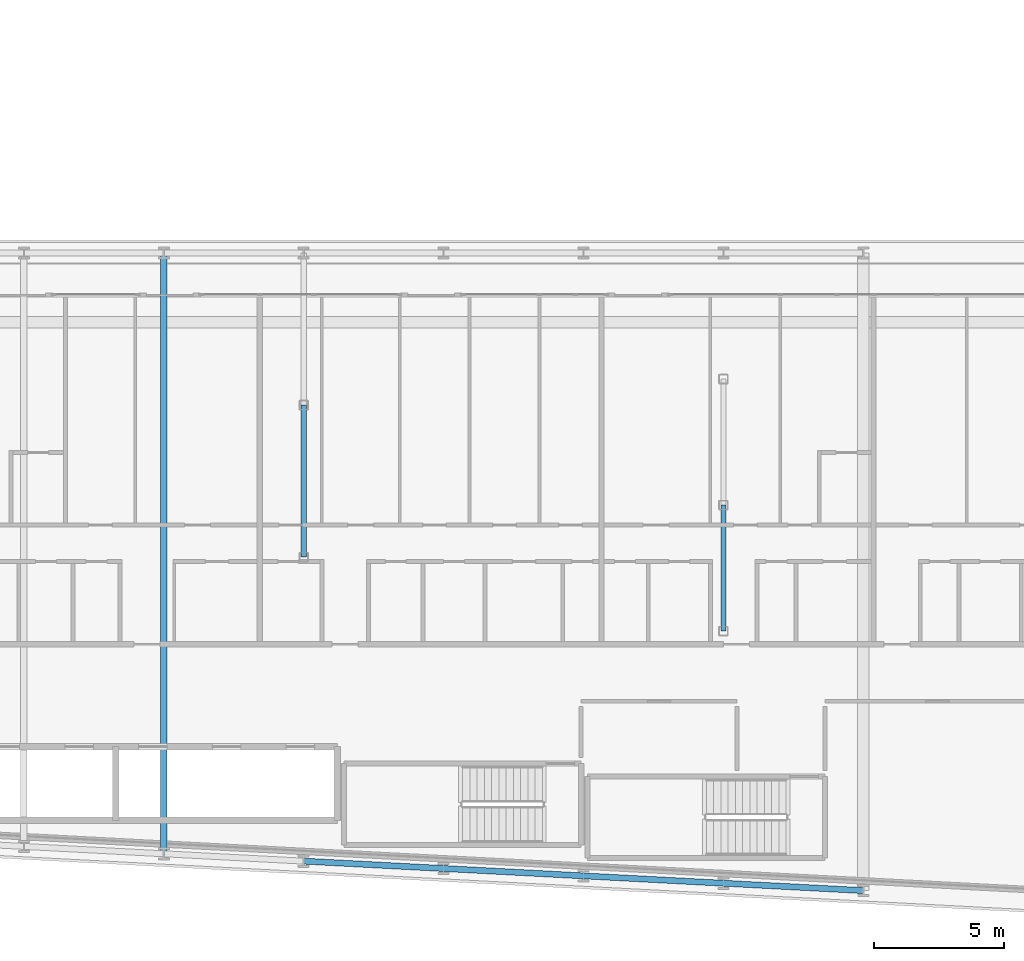
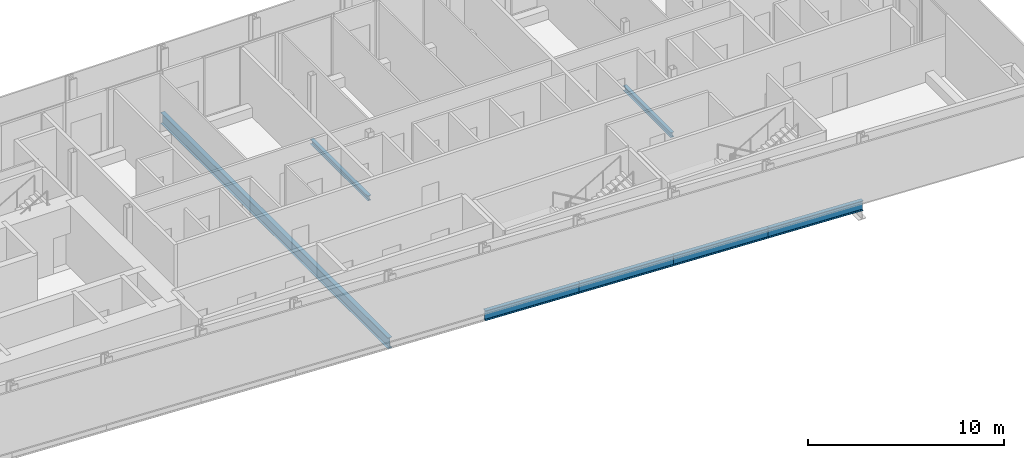
# One storey, part 5 of 28: 7 beams.
"""IFC4 building model written with IfcOpenShell, lengths in metres."""

import ifcopenshell
import ifcopenshell.guid

model = None  # the IFC model being written
_history = None  # IfcOwnerHistory: only IFC2X3 demands one
_inside = {}  # id of a spatial element -> (the spatial element, [elements in it])
_under = {}  # id of a project, library or spatial element -> (it, [spatial elements below it])
_declared = {}  # id of a project -> (the project, [libraries it declares])
_typed = {}  # id of a type object -> (the type object, [elements of that type])
_made_of = {}  # id of a material, layer set ... -> (it, [elements and type objects made of it])


def new_model(schema):
    """Start an empty IFC model of exactly this schema.

    Asked for "IFC4X3", IfcOpenShell would pick the latest addendum, in which some entities
    have other attributes; the version numbers below select the first issue.
    IFC2X3 requires an IfcOwnerHistory on every rooted entity: one is made here for all.
    """
    global model, _history
    if schema == "IFC4X3":
        model = ifcopenshell.file(schema_version=(4, 3, 0, 0))
    else:
        model = ifcopenshell.file(schema=schema)
    _inside.clear()
    _under.clear()
    _declared.clear()
    _typed.clear()
    _made_of.clear()
    _history = None
    if model.schema == "IFC2X3":
        org = make("IfcOrganization", Name="unknown")
        user = make(
            "IfcPersonAndOrganization",
            ThePerson=make("IfcPerson", FamilyName="unknown"),
            TheOrganization=org,
        )
        app = make(
            "IfcApplication",
            ApplicationDeveloper=org,
            Version="unknown",
            ApplicationFullName="unknown",
            ApplicationIdentifier="unknown",
        )
        _history = make(
            "IfcOwnerHistory",
            OwningUser=user,
            OwningApplication=app,
            ChangeAction="ADDED",
            CreationDate=0,
        )
    return model


def make(cls, **values):
    """One entity of the class cls with the attributes given. An attribute that is None is left unset."""
    return model.create_entity(
        cls, **{name: value for name, value in values.items() if value is not None}
    )


def rooted(cls, **values):
    """An entity with a GlobalId (a new one), such as an element, a storey or a relation."""
    return make(cls, GlobalId=ifcopenshell.guid.new(), OwnerHistory=_history, **values)


def si_unit(unit_type, name, prefix=None):
    """IfcSIUnit, for example si_unit("LENGTHUNIT", "METRE", prefix="MILLI")."""
    return make("IfcSIUnit", UnitType=unit_type, Prefix=prefix, Name=name)


def assignment(units):
    """IfcUnitAssignment: the units of a project."""
    return None if units is None else make("IfcUnitAssignment", Units=units)


def point(xyz):
    """IfcCartesianPoint."""
    return None if xyz is None else make("IfcCartesianPoint", Coordinates=xyz)


def direction(xyz):
    """IfcDirection."""
    return None if xyz is None else make("IfcDirection", DirectionRatios=xyz)


def frame(location, z_axis=None, x_axis=None):
    """IfcAxis2Placement3D, a coordinate frame: its origin and axes. An axis left out is left unset."""
    return make(
        "IfcAxis2Placement3D",
        Location=point(location),
        Axis=direction(z_axis),
        RefDirection=direction(x_axis),
    )


def frame_2d(location, x_axis=None):
    """IfcAxis2Placement2D, a coordinate frame in the plane: its origin and x axis."""
    return make(
        "IfcAxis2Placement2D", Location=point(location), RefDirection=direction(x_axis)
    )


def origin():
    """The frame at (0, 0, 0) with its axes left unset."""
    return frame((0.0, 0.0, 0.0))


def origin_2d():
    """The frame at (0, 0) in the plane with its x axis left unset."""
    return frame_2d((0.0, 0.0))


def place(relative_to, where):
    """IfcLocalPlacement: puts the frame where relative to a parent placement (None: the world)."""
    return make(
        "IfcLocalPlacement", PlacementRelTo=relative_to, RelativePlacement=where
    )


def context(
    kind, dimensions, precision=None, world=None, true_north=None, identifier=None
):
    """IfcGeometricRepresentationContext, for example the 3D "Model" context."""
    return make(
        "IfcGeometricRepresentationContext",
        ContextIdentifier=identifier,
        ContextType=kind,
        CoordinateSpaceDimension=dimensions,
        Precision=precision,
        WorldCoordinateSystem=world,
        TrueNorth=true_north,
    )


def subcontext(parent, identifier, kind, view, scale=None):
    """IfcGeometricRepresentationSubContext, for example "Body" below "Model"."""
    return make(
        "IfcGeometricRepresentationSubContext",
        ContextIdentifier=identifier,
        ContextType=kind,
        ParentContext=parent,
        TargetScale=scale,
        TargetView=view,
    )


def project(units=None, contexts=None):
    """IfcProject with its units and contexts."""
    return rooted(
        "IfcProject",
        Name="project",
        RepresentationContexts=contexts,
        UnitsInContext=assignment(units),
    )


def spatial(cls, under=None, at=None, **own):
    """A site, building, storey or space (cls), placed at a placement, below another one or the project."""
    s = rooted(cls, ObjectPlacement=at, **own)
    if under is not None:
        _under.setdefault(under.id(), (under, []))[1].append(s)
    return s


def profile(cls, at=None, kind="AREA", **sizes):
    """A parametric profile (cls). Its sizes go by their IFC names, for example OverallWidth=200.0."""
    return make(cls, ProfileType=kind, Position=at, **sizes)


def i_section(**sizes):
    """IfcIShapeProfileDef."""
    return profile("IfcIShapeProfileDef", **sizes)


def extrude(swept, where, along, depth):
    """IfcExtrudedAreaSolid: the profile swept, set in the frame where, extruded along a direction by depth."""
    return make(
        "IfcExtrudedAreaSolid",
        SweptArea=swept,
        Position=where,
        ExtrudedDirection=direction(along),
        Depth=depth,
    )


def shape(context_of_items, identifier, shape_type, items):
    """IfcShapeRepresentation: the items that make up one representation, for example the "Body"."""
    return make(
        "IfcShapeRepresentation",
        ContextOfItems=context_of_items,
        RepresentationIdentifier=identifier,
        RepresentationType=shape_type,
        Items=items,
    )


def material(Name=None, Category=None):
    """IfcMaterial."""
    return make("IfcMaterial", Name=Name, Category=Category)


def material_profile(
    of_material, cross_section, Name=None, Category=None, Priority=None
):
    """IfcMaterialProfile: a cross section and its material."""
    return make(
        "IfcMaterialProfile",
        Name=Name,
        Material=of_material,
        Profile=cross_section,
        Priority=Priority,
        Category=Category,
    )


def profile_set(profiles, Name=None, composite=None):
    """IfcMaterialProfileSet."""
    return make(
        "IfcMaterialProfileSet",
        Name=Name,
        MaterialProfiles=profiles,
        CompositeProfile=composite,
    )


def made_of(thing, what):
    """Note that an element or type object is made of a material, layer set ...; save() writes the relation."""
    if what is not None:
        _made_of.setdefault(what.id(), (what, []))[1].append(thing)
    return thing


def type_object(cls, material=None, **own):
    """A type object (cls), such as IfcWallType, which elements share."""
    return made_of(rooted(cls, **own), material)


def element(
    cls,
    number,
    at=None,
    inside=None,
    cuts=None,
    type_object=None,
    material=None,
    context=None,
    identifier="Body",
    shape_type=None,
    held_by="IfcProductDefinitionShape",
    body=None,
    shapes=None,
    **own,
):
    """One element of the class cls, such as IfcWall. Its Tag is "e" and its number.

    at: its placement. inside: the storey or other place that contains it. cuts: it is an
    opening in that element (IfcRelVoidsElement). A single representation is given by context,
    identifier, shape_type and body (its items); several are given by shapes. held_by: the class
    of the entity that holds the representations. save() writes the other relations.
    """
    e = rooted(cls, Tag="e%d" % number, ObjectPlacement=at, **own)
    if body is not None:
        shapes = [shape(context, identifier, shape_type, body)]
    if shapes is not None:
        e.Representation = make(held_by, Representations=shapes)
    if inside is not None:
        _inside.setdefault(inside.id(), (inside, []))[1].append(e)
    if cuts is not None:
        rooted(
            "IfcRelVoidsElement", RelatingBuildingElement=cuts, RelatedOpeningElement=e
        )
    if type_object is not None:
        _typed.setdefault(type_object.id(), (type_object, []))[1].append(e)
    return made_of(e, material)


def aggregate(whole, parts):
    """IfcRelAggregates: a whole, such as a stair, and the parts it consists of."""
    return rooted("IfcRelAggregates", RelatingObject=whole, RelatedObjects=parts)


def save(model, path):
    """Write the relations noted so far, then the file.

    IfcRelAggregates (storeys below a building ...), IfcRelContainedInSpatialStructure (elements
    in a storey), IfcRelDefinesByType, IfcRelAssociatesMaterial and IfcRelDeclares: one each for
    every whole, place, type object, material and project.
    """
    for whole, parts in _under.values():
        aggregate(whole, parts)
    for where, things in _inside.values():
        rooted(
            "IfcRelContainedInSpatialStructure",
            RelatedElements=things,
            RelatingStructure=where,
        )
    for kind, things in _typed.values():
        rooted("IfcRelDefinesByType", RelatedObjects=things, RelatingType=kind)
    for what, things in _made_of.values():
        rooted("IfcRelAssociatesMaterial", RelatedObjects=things, RelatingMaterial=what)
    for by, libraries in _declared.values():
        rooted("IfcRelDeclares", RelatingContext=by, RelatedDefinitions=libraries)
    model.write(path)


model = new_model("IFC4")

# Units and contexts
model_context = context("Model", 3, precision=1e-05, world=origin(), true_north=direction((0.0, 1.0)))
body_context = subcontext(model_context, "Body", "Model", "MODEL_VIEW")
ifc_project = project(units=[si_unit("LENGTHUNIT", "METRE"), si_unit("AREAUNIT", "SQUARE_METRE"), si_unit("VOLUMEUNIT", "CUBIC_METRE"), si_unit("PLANEANGLEUNIT", "RADIAN"), si_unit("MASSUNIT", "GRAM", prefix="KILO")], contexts=[model_context])

# Site, building, storey
site_placement = place(None, origin())
site = spatial("IfcSite", under=ifc_project, at=site_placement, CompositionType="ELEMENT")
building_placement = place(site_placement, origin())
building = spatial("IfcBuilding", under=site, at=building_placement, Name="Kheshtan School and Residences Tower", CompositionType="ELEMENT")
storey_placement = place(building_placement, frame((0.0, 0.0, 77.300048828125)))
storey = spatial("IfcBuildingStorey", under=building, at=storey_placement, Name="L18", CompositionType="ELEMENT", Elevation=77.300048828125)

# Beams
ifc_material = material(Name="Steel ASTM A992 Grade 50", Category="steel")
ifc_material_profile_1 = material_profile(ifc_material, i_section(OverallWidth=0.202880859375, OverallDepth=0.302978515625, WebThickness=0.007568359375, FlangeThickness=0.01318359375, FilletRadius=0.009033203125, at=origin_2d()), Name="W310x60")
ifc_profile_set_1 = profile_set([ifc_material_profile_1], Name="Steel ASTM A992 Grade 50")
beam_type_1 = type_object("IfcBeamType", Name="Beam FB1 W310x60 ASTM A992 Grade 50", PredefinedType="BEAM", material=ifc_profile_set_1)
beam_1_placement = place(storey_placement, frame((85.39990234375, 31.0048828125, -0.301513671875), z_axis=(0.0, 1.0, 0.0), x_axis=(-1.0, 0.0, 0.0)))
element("IfcBeam", 1, at=beam_1_placement, inside=storey, type_object=beam_type_1, Name="Floor beam IC", PredefinedType="BEAM", context=body_context, shape_type="SweptSolid", body=[
    extrude(i_section(OverallWidth=0.202880859375, OverallDepth=0.302978515625, WebThickness=0.007568359375, FlangeThickness=0.01318359375, FilletRadius=0.009033203125, at=origin_2d()), origin(), (0.0, 0.0, 1.0), 4.865234375),
])
beam_2_placement = place(storey_placement, frame((69.199951171875, 33.863037109375, -0.301513671875), z_axis=(0.0, 1.0, 0.0), x_axis=(-1.0, 0.0, 0.0)))
element("IfcBeam", 2, at=beam_2_placement, inside=storey, type_object=beam_type_1, Name="Floor beam IC", PredefinedType="BEAM", context=body_context, shape_type="SweptSolid", body=[
    extrude(i_section(OverallWidth=0.202880859375, OverallDepth=0.302978515625, WebThickness=0.007568359375, FlangeThickness=0.01318359375, FilletRadius=0.009033203125, at=origin_2d()), origin(), (0.0, 0.0, 1.0), 5.868896484375),
])
ifc_material_profile_2 = material_profile(ifc_material, i_section(OverallWidth=0.2529296875, OverallDepth=0.677978515625, WebThickness=0.01171875, FlangeThickness=0.016357421875, FilletRadius=0.0146484375, at=origin_2d()), Name="W690x125")
ifc_profile_set_2 = profile_set([ifc_material_profile_2], Name="Steel ASTM A992 Grade 50")
beam_type_2 = type_object("IfcBeamType", Name="Beam FB6 W690x125 ASTM A992 Grade 50", PredefinedType="BEAM", material=ifc_profile_set_2)
beam_3_placement = place(storey_placement, frame((63.800048828125, 22.410888671875, -0.489013671875), z_axis=(0.0, 1.0, 0.0), x_axis=(-1.0, 0.0, 0.0)))
element("IfcBeam", 3, at=beam_3_placement, inside=storey, type_object=beam_type_2, Name="Floor beam C016", PredefinedType="BEAM", context=body_context, shape_type="SweptSolid", body=[
    extrude(i_section(OverallWidth=0.2529296875, OverallDepth=0.677978515625, WebThickness=0.01171875, FlangeThickness=0.016357421875, FilletRadius=0.0146484375, at=origin_2d()), origin(), (0.0, 0.0, 1.0), 23.189208984375),
])
ifc_material_profile_3 = material_profile(ifc_material, i_section(OverallWidth=0.22998046875, OverallDepth=0.616943359375, WebThickness=0.01318359375, FlangeThickness=0.022216796875, FilletRadius=0.0185546875, at=origin_2d()), Name="W610x140")
ifc_profile_set_3 = profile_set([ifc_material_profile_3], Name="Steel ASTM A992 Grade 50")
beam_type_3 = type_object("IfcBeamType", Name="Beam SP1 W610x140 ASTM A992 Grade 50", PredefinedType="BEAM", material=ifc_profile_set_3)
beam_4_placement = place(storey_placement, frame((90.800048828125, 20.989990234375, -0.45849609375), z_axis=(-0.998620571751, 0.05250670125, 0.0), x_axis=(-0.05250670125, -0.998620571751, 0.0)))
element("IfcBeam", 4, at=beam_4_placement, inside=storey, type_object=beam_type_3, Name="Spandrel beam C006-C008", PredefinedType="BEAM", context=body_context, shape_type="SweptSolid", body=[
    extrude(i_section(OverallWidth=0.22998046875, OverallDepth=0.616943359375, WebThickness=0.01318359375, FlangeThickness=0.022216796875, FilletRadius=0.0185546875, at=origin_2d()), origin(), (0.0, 0.0, 1.0), 5.40771484375),
])
for number, where, z_axis, x_axis, name in (
    (5, (85.39990234375, 21.27392578125, -0.45849609375), (-0.998618078766, 0.052554093665, 0.0), (-0.052554093665, -0.998618078766, 0.0), "Spandrel beam C008-C012"),
    (6, (80.0, 21.55810546875, -0.45849609375), (-0.998610961136, 0.052689166816, 0.0), (-0.052689166816, -0.998610961136, 0.0), "Spandrel beam C012-C013"),
):
    element("IfcBeam", number, at=place(storey_placement, frame(where, z_axis=z_axis, x_axis=x_axis)), inside=storey, type_object=beam_type_3, Name=name, PredefinedType="BEAM", context=body_context, shape_type="SweptSolid", body=[
        extrude(i_section(OverallWidth=0.22998046875, OverallDepth=0.616943359375, WebThickness=0.01318359375, FlangeThickness=0.022216796875, FilletRadius=0.0185546875, at=origin_2d()), origin(), (0.0, 0.0, 1.0), 5.407470703125),
    ])
beam_5_placement = place(storey_placement, frame((74.60009765625, 21.843017578125, -0.45849609375), z_axis=(-0.998620571751, 0.05250670125, 0.0), x_axis=(-0.05250670125, -0.998620571751, 0.0)))
element("IfcBeam", 7, at=beam_5_placement, inside=storey, type_object=beam_type_3, Name="Spandrel beam C013-C014", PredefinedType="BEAM", context=body_context, shape_type="SweptSolid", body=[
    extrude(i_section(OverallWidth=0.22998046875, OverallDepth=0.616943359375, WebThickness=0.01318359375, FlangeThickness=0.022216796875, FilletRadius=0.0185546875, at=origin_2d()), origin(), (0.0, 0.0, 1.0), 5.40771484375),
])

save(model, "model.ifc")
